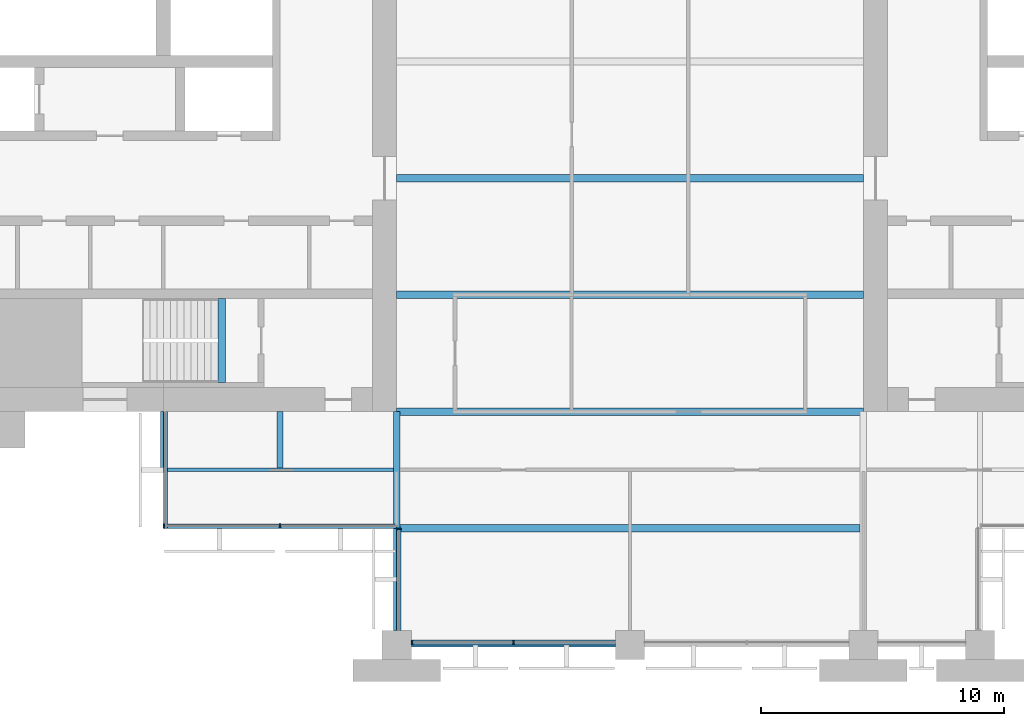
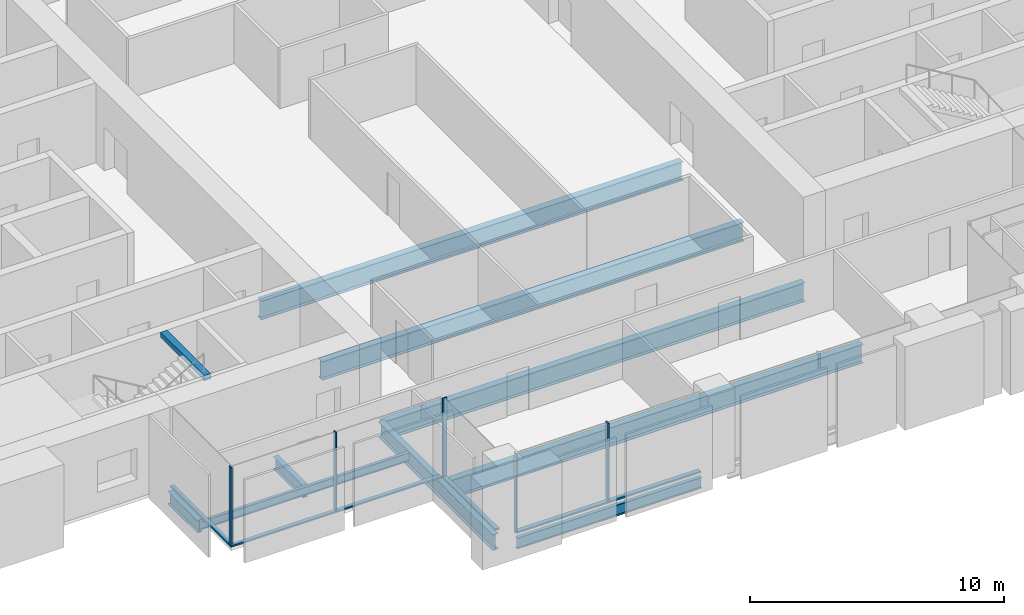
# One storey, part 2 of 14: 10 beams, 9 members, 4 elements without a shape of their own.
"""IFC4 building model written with IfcOpenShell, lengths in metres."""

from ifc_helpers import new_model, si_unit, direction, frame, origin, origin_2d, place, context, subcontext, project, spatial, rectangle, i_section, extrude, material, material_profile, profile_set, type_object, element, aggregate, save


model = new_model("IFC4")

# Units and contexts
model_context = context("Model", 3, precision=1e-05, world=origin(), true_north=direction((0.0, 1.0)))
body_context = subcontext(model_context, "Body", "Model", "MODEL_VIEW")
ifc_project = project(units=[si_unit("LENGTHUNIT", "METRE"), si_unit("AREAUNIT", "SQUARE_METRE"), si_unit("VOLUMEUNIT", "CUBIC_METRE"), si_unit("PLANEANGLEUNIT", "RADIAN"), si_unit("MASSUNIT", "GRAM", prefix="KILO")], contexts=[model_context])

# Site, building, storey
site_placement = place(None, origin())
site = spatial("IfcSite", under=ifc_project, at=site_placement, CompositionType="ELEMENT")
building_placement = place(site_placement, origin())
building = spatial("IfcBuilding", under=site, at=building_placement, Name="Baori Bourse Tower", CompositionType="ELEMENT")
storey_placement = place(building_placement, frame((0.0, 0.0, 160.10009765625)))
storey = spatial("IfcBuildingStorey", under=building, at=storey_placement, Name="L35", CompositionType="ELEMENT", Elevation=160.10009765625)

# Curtain wall, members
ifc_material_1 = material(Name="Pale anodised aluminium", Category="aluminium")
curtain_wall_type_1 = type_object("IfcCurtainWallType", Name="CW1 Curtain wall", PredefinedType="NOTDEFINED", material=ifc_material_1)
curtain_wall_1_placement = place(storey_placement, origin())
curtain_wall_1 = element("IfcCurtainWall", 1, at=curtain_wall_1_placement, inside=storey, type_object=curtain_wall_type_1, Name="Curtain wall CW1 L35 11", PredefinedType="NOTDEFINED")
ifc_material_2 = material(Name="Pale anodised aluminium", Category="aluminium")
ifc_material_profile_1 = material_profile(ifc_material_2, rectangle(XDim=0.199951171875, YDim=0.06005859375, at=origin_2d()), Name="Mullion 60x200")
ifc_profile_set_1 = profile_set([ifc_material_profile_1], Name="Pale anodised aluminium")
member_type_1 = type_object("IfcMemberType", Name="CW1 Curtain wall mullion", PredefinedType="MULLION", material=ifc_profile_set_1)
member_1_placement = place(storey_placement, frame((19.830078125, 0.10009765625, 0.079833984375), z_axis=(0.0, 0.0, 1.0), x_axis=(0.0, 1.0, 0.0)))
member_1 = element("IfcMember", 2, at=member_1_placement, type_object=member_type_1, Name="Curtain wall CW1 mullion", PredefinedType="MULLION", context=body_context, shape_type="SweptSolid", body=[
    extrude(rectangle(XDim=0.199951171875, YDim=0.06005859375, at=origin_2d()), origin(), (0.0, 0.0, 1.0), 3.760009765625),
])
member_2_placement = place(storey_placement, frame((24.0, 0.10009765625, 0.079833984375), z_axis=(0.0, 0.0, 1.0), x_axis=(0.0, 1.0, 0.0)))
member_2 = element("IfcMember", 3, at=member_2_placement, type_object=member_type_1, Name="Curtain wall CW1 mullion", PredefinedType="MULLION", context=body_context, shape_type="SweptSolid", body=[
    extrude(rectangle(XDim=0.199951171875, YDim=0.06005859375, at=origin_2d()), origin(), (0.0, 0.0, 1.0), 3.760009765625),
])
ifc_material_3 = material(Name="Pale anodised aluminium", Category="aluminium")
ifc_material_profile_2 = material_profile(ifc_material_3, rectangle(XDim=0.199951171875, YDim=0.080078125, at=origin_2d()), Name="Transom 80x200")
ifc_profile_set_2 = profile_set([ifc_material_profile_2], Name="Pale anodised aluminium")
member_type_2 = type_object("IfcMemberType", Name="CW1 Curtain wall transom", PredefinedType="USERDEFINED", material=ifc_profile_set_2)
member_3_placement = place(storey_placement, frame((19.800048828125, 0.10009765625, 0.039794921875), z_axis=(1.0, 0.0, 0.0), x_axis=(0.0, 1.0, 0.0)))
member_3 = element("IfcMember", 4, at=member_3_placement, type_object=member_type_2, Name="Curtain wall CW1 sill rail", ObjectType="TRANSOM", PredefinedType="USERDEFINED", context=body_context, shape_type="SweptSolid", body=[
    extrude(rectangle(XDim=0.199951171875, YDim=0.080078125, at=origin_2d()), origin(), (0.0, 0.0, 1.0), 8.39990234375),
])
aggregate(curtain_wall_1, [member_3, member_1, member_2])

ifc_material_4 = material(Name="Pale anodised aluminium", Category="aluminium")
curtain_wall_type_2 = type_object("IfcCurtainWallType", Name="CW2 Curtain wall", PredefinedType="NOTDEFINED", material=ifc_material_4)
curtain_wall_2_placement = place(storey_placement, origin())
curtain_wall_2 = element("IfcCurtainWall", 5, at=curtain_wall_2_placement, inside=storey, type_object=curtain_wall_type_2, Name="Curtain wall CW2 L35 9", PredefinedType="NOTDEFINED")
ifc_material_5 = material(Name="Pale anodised aluminium", Category="aluminium")
ifc_material_profile_3 = material_profile(ifc_material_5, rectangle(XDim=0.179931640625, YDim=0.054931640625, at=origin_2d()), Name="Mullion 55x180")
ifc_profile_set_3 = profile_set([ifc_material_profile_3], Name="Pale anodised aluminium")
member_type_3 = type_object("IfcMemberType", Name="CW2 Curtain wall mullion", PredefinedType="MULLION", material=ifc_profile_set_3)
member_4_placement = place(storey_placement, frame((9.62744140625, 4.889892578125, 0.06982421875), z_axis=(0.0, 0.0, 1.0), x_axis=(0.0, 1.0, 0.0)))
member_4 = element("IfcMember", 6, at=member_4_placement, type_object=member_type_3, Name="Curtain wall CW2 mullion", PredefinedType="MULLION", context=body_context, shape_type="SweptSolid", body=[
    extrude(rectangle(XDim=0.179931640625, YDim=0.054931640625, at=origin_2d()), origin(), (0.0, 0.0, 1.0), 3.77001953125),
])
member_5_placement = place(storey_placement, frame((14.39990234375, 4.889892578125, 0.06982421875), z_axis=(0.0, 0.0, 1.0), x_axis=(0.0, 1.0, 0.0)))
member_5 = element("IfcMember", 7, at=member_5_placement, type_object=member_type_3, Name="Curtain wall CW2 mullion", PredefinedType="MULLION", context=body_context, shape_type="SweptSolid", body=[
    extrude(rectangle(XDim=0.179931640625, YDim=0.054931640625, at=origin_2d()), origin(), (0.0, 0.0, 1.0), 3.77001953125),
])

# Curtain wall, member
curtain_wall_3_placement = place(storey_placement, origin())
curtain_wall_3 = element("IfcCurtainWall", 8, at=curtain_wall_3_placement, inside=storey, type_object=curtain_wall_type_2, Name="Curtain wall CW2 L35 10", PredefinedType="NOTDEFINED")
member_6_placement = place(storey_placement, frame((19.2900390625, 4.7724609375, 0.06982421875), z_axis=(0.0, 0.0, 1.0), x_axis=(1.0, 0.0, 0.0)))
member_6 = element("IfcMember", 9, at=member_6_placement, type_object=member_type_3, Name="Curtain wall CW2 mullion", PredefinedType="MULLION", context=body_context, shape_type="SweptSolid", body=[
    extrude(rectangle(XDim=0.179931640625, YDim=0.054931640625, at=origin_2d()), origin(), (0.0, 0.0, 1.0), 3.77001953125),
])

curtain_wall_4_placement = place(storey_placement, origin())
curtain_wall_4 = element("IfcCurtainWall", 10, at=curtain_wall_4_placement, inside=storey, type_object=curtain_wall_type_2, Name="Curtain wall CW2 L35 8", PredefinedType="NOTDEFINED")
ifc_material_6 = material(Name="Pale anodised aluminium", Category="aluminium")
ifc_material_profile_4 = material_profile(ifc_material_6, rectangle(XDim=0.179931640625, YDim=0.070068359375, at=origin_2d()), Name="Transom 70x180")
ifc_profile_set_4 = profile_set([ifc_material_profile_4], Name="Pale anodised aluminium")
member_type_4 = type_object("IfcMemberType", Name="CW2 Curtain wall transom", PredefinedType="USERDEFINED", material=ifc_profile_set_4)
member_7_placement = place(storey_placement, frame((9.68994140625, 9.60009765625, 0.034912109375), z_axis=(0.0, -1.0, 0.0), x_axis=(1.0, 0.0, 0.0)))
member_7 = element("IfcMember", 11, at=member_7_placement, type_object=member_type_4, Name="Curtain wall CW2 sill rail", ObjectType="TRANSOM", PredefinedType="USERDEFINED", context=body_context, shape_type="SweptSolid", body=[
    extrude(rectangle(XDim=0.179931640625, YDim=0.070068359375, at=origin_2d()), origin(), (0.0, 0.0, 1.0), 4.800048828125),
])
aggregate(curtain_wall_4, [member_7])

# Member
member_8_placement = place(storey_placement, frame((9.60009765625, 4.889892578125, 0.034912109375), z_axis=(1.0, 0.0, 0.0), x_axis=(0.0, 1.0, 0.0)))
member_8 = element("IfcMember", 12, at=member_8_placement, type_object=member_type_4, Name="Curtain wall CW2 sill rail", ObjectType="TRANSOM", PredefinedType="USERDEFINED", context=body_context, shape_type="SweptSolid", body=[
    extrude(rectangle(XDim=0.179931640625, YDim=0.070068359375, at=origin_2d()), origin(), (0.0, 0.0, 1.0), 9.599853515625),
])

aggregate(curtain_wall_2, [member_8, member_4, member_5])

member_9_placement = place(storey_placement, frame((19.2900390625, 4.800048828125, 0.034912109375), z_axis=(0.0, -1.0, 0.0), x_axis=(1.0, 0.0, 0.0)))
member_9 = element("IfcMember", 13, at=member_9_placement, type_object=member_type_4, Name="Curtain wall CW2 sill rail", ObjectType="TRANSOM", PredefinedType="USERDEFINED", context=body_context, shape_type="SweptSolid", body=[
    extrude(rectangle(XDim=0.179931640625, YDim=0.070068359375, at=origin_2d()), origin(), (0.0, 0.0, 1.0), 4.199951171875),
])

aggregate(curtain_wall_3, [member_9, member_6])

# Beams
ifc_material_7 = material(Name="Steel A992 Gr 50", Category="steel")
ifc_material_profile_5 = material_profile(ifc_material_7, i_section(OverallWidth=0.227783203125, OverallDepth=0.60205078125, WebThickness=0.010498046875, FlangeThickness=0.014892578125, at=origin_2d()), Name="W24x68")
ifc_profile_set_5 = profile_set([ifc_material_profile_5], Name="Steel A992 Gr 50")
beam_type_1 = type_object("IfcBeamType", Name="Core bracket W24x68", PredefinedType="BEAM", material=ifc_profile_set_5)
for number, where, z_axis, x_axis, name in (
    (14, (9.60009765625, 7.270263671875, -0.461181640625), (0.0, 1.0, 0.0), (-1.0, 0.0, 0.0), "Core bracket L35"),
    (15, (14.39990234375, 7.270263671875, -0.461181640625), (0.0, 1.0, 0.0), (-1.0, 0.0, 0.0), "Core bracket L35"),
):
    element("IfcBeam", number, at=place(storey_placement, frame(where, z_axis=z_axis, x_axis=x_axis)), inside=storey, type_object=beam_type_1, Name=name, PredefinedType="BEAM", context=body_context, shape_type="SweptSolid", body=[
        extrude(i_section(OverallWidth=0.227783203125, OverallDepth=0.60205078125, WebThickness=0.010498046875, FlangeThickness=0.014892578125, at=origin_2d()), origin(), (0.0, 0.0, 1.0), 2.329833984375),
    ])
ifc_material_8 = material(Name="Steel A992 Gr 50", Category="steel")
ifc_material_profile_6 = material_profile(ifc_material_8, i_section(OverallWidth=0.1650390625, OverallDepth=0.52587890625, WebThickness=0.0087890625, FlangeThickness=0.011474609375, at=origin_2d()), Name="W21x44")
ifc_profile_set_6 = profile_set([ifc_material_profile_6], Name="Steel A992 Gr 50")
beam_type_2 = type_object("IfcBeamType", Name="Edge beam W21x44", PredefinedType="BEAM", material=ifc_profile_set_6)
beam_1_placement = place(storey_placement, frame((19.800048828125, 0.0, -0.423095703125), z_axis=(1.0, 0.0, 0.0), x_axis=(0.0, 1.0, 0.0)))
element("IfcBeam", 16, at=beam_1_placement, inside=storey, type_object=beam_type_2, Name="Edge beam L35", PredefinedType="BEAM", context=body_context, shape_type="SweptSolid", body=[
    extrude(i_section(OverallWidth=0.1650390625, OverallDepth=0.52587890625, WebThickness=0.0087890625, FlangeThickness=0.011474609375, at=origin_2d()), origin(), (0.0, 0.0, 1.0), 8.39990234375),
])
ifc_material_9 = material(Name="Steel A992 Gr 50", Category="steel")
ifc_material_profile_7 = material_profile(ifc_material_9, i_section(OverallWidth=0.3046875, OverallDepth=0.904296875, WebThickness=0.01513671875, FlangeThickness=0.02001953125, at=origin_2d()), Name="W36x135")
ifc_profile_set_7 = profile_set([ifc_material_profile_7], Name="Steel A992 Gr 50")
beam_type_3 = type_object("IfcBeamType", Name="Floor beam W36x135", PredefinedType="BEAM", material=ifc_profile_set_7)
beam_2_placement = place(storey_placement, frame((19.333251953125, 4.800048828125, -0.6123046875), z_axis=(1.0, 0.0, 0.0), x_axis=(0.0, 1.0, 0.0)))
element("IfcBeam", 17, at=beam_2_placement, inside=storey, type_object=beam_type_3, Name="Floor beam L35", PredefinedType="BEAM", context=body_context, shape_type="SweptSolid", body=[
    extrude(i_section(OverallWidth=0.3046875, OverallDepth=0.904296875, WebThickness=0.01513671875, FlangeThickness=0.02001953125, at=origin_2d()), origin(), (0.0, 0.0, 1.0), 18.9345703125),
])
for number, where, z_axis, x_axis, name in (
    (18, (19.199951171875, 9.60009765625, -0.6123046875), (1.0, 0.0, 0.0), (0.0, 1.0, 0.0), "Floor beam L35"),
    (19, (19.199951171875, 14.39990234375, -0.6123046875), (1.0, 0.0, 0.0), (0.0, 1.0, 0.0), "Floor beam L35"),
    (20, (19.199951171875, 19.199951171875, -0.6123046875), (1.0, 0.0, 0.0), (0.0, 1.0, 0.0), "Floor beam L35"),
):
    element("IfcBeam", number, at=place(storey_placement, frame(where, z_axis=z_axis, x_axis=x_axis)), inside=storey, type_object=beam_type_3, Name=name, PredefinedType="BEAM", context=body_context, shape_type="SweptSolid", body=[
        extrude(i_section(OverallWidth=0.3046875, OverallDepth=0.904296875, WebThickness=0.01513671875, FlangeThickness=0.02001953125, at=origin_2d()), origin(), (0.0, 0.0, 1.0), 19.199951171875),
    ])
ifc_material_10 = material(Name="Steel A992 Gr 50", Category="steel")
ifc_material_profile_8 = material_profile(ifc_material_10, i_section(OverallWidth=0.2666015625, OverallDepth=0.7568359375, WebThickness=0.013916015625, FlangeThickness=0.019287109375, at=origin_2d()), Name="W30x108")
ifc_profile_set_8 = profile_set([ifc_material_profile_8], Name="Steel A992 Gr 50")
beam_type_4 = type_object("IfcBeamType", Name="Girder W30x108", PredefinedType="BEAM", material=ifc_profile_set_8)
beam_3_placement = place(storey_placement, frame((19.199951171875, 0.60009765625, -0.53857421875), z_axis=(0.0, 1.0, 0.0), x_axis=(-1.0, 0.0, 0.0)))
element("IfcBeam", 21, at=beam_3_placement, inside=storey, type_object=beam_type_4, Name="Girder L35", PredefinedType="BEAM", context=body_context, shape_type="SweptSolid", body=[
    extrude(i_section(OverallWidth=0.2666015625, OverallDepth=0.7568359375, WebThickness=0.013916015625, FlangeThickness=0.019287109375, at=origin_2d()), origin(), (0.0, 0.0, 1.0), 9.0),
])
ifc_material_11 = material(Name="Concrete f'c 50 MPa", Category="concrete")
ifc_material_profile_9 = material_profile(ifc_material_11, rectangle(XDim=0.300048828125, YDim=0.25, at=origin_2d()), Name="RC 300x250")
ifc_profile_set_9 = profile_set([ifc_material_profile_9], Name="Concrete f'c 50 MPa")
beam_type_5 = type_object("IfcBeamType", Name="Stair nib beam RC 300x250", PredefinedType="BEAM", material=ifc_profile_set_9)
beam_4_placement = place(storey_placement, frame((12.0, 10.800048828125, 3.71484375), z_axis=(0.0, 1.0, 0.0), x_axis=(-1.0, 0.0, 0.0)))
element("IfcBeam", 22, at=beam_4_placement, inside=storey, type_object=beam_type_5, Name="Stair WA nib beam L36", PredefinedType="BEAM", context=body_context, shape_type="SweptSolid", body=[
    extrude(rectangle(XDim=0.300048828125, YDim=0.25, at=origin_2d()), origin(), (0.0, 0.0, 1.0), 3.449951171875),
])
ifc_material_12 = material(Name="Steel A992 Gr 50", Category="steel")
ifc_material_profile_10 = material_profile(ifc_material_12, i_section(OverallWidth=0.140380859375, OverallDepth=0.40380859375, WebThickness=0.007080078125, FlangeThickness=0.01123046875, at=origin_2d()), Name="W16x31")
ifc_profile_set_10 = profile_set([ifc_material_profile_10], Name="Steel A992 Gr 50")
beam_type_6 = type_object("IfcBeamType", Name="Trimmer beam W16x31", PredefinedType="BEAM", material=ifc_profile_set_10)
beam_5_placement = place(storey_placement, frame((9.60009765625, 7.199951171875, -0.362060546875), z_axis=(1.0, 0.0, 0.0), x_axis=(0.0, 1.0, 0.0)))
element("IfcBeam", 23, at=beam_5_placement, inside=storey, type_object=beam_type_6, Name="Trimmer beam L35", PredefinedType="BEAM", context=body_context, shape_type="SweptSolid", body=[
    extrude(i_section(OverallWidth=0.140380859375, OverallDepth=0.40380859375, WebThickness=0.007080078125, FlangeThickness=0.01123046875, at=origin_2d()), origin(), (0.0, 0.0, 1.0), 9.466552734375),
])

save(model, "model.ifc")
